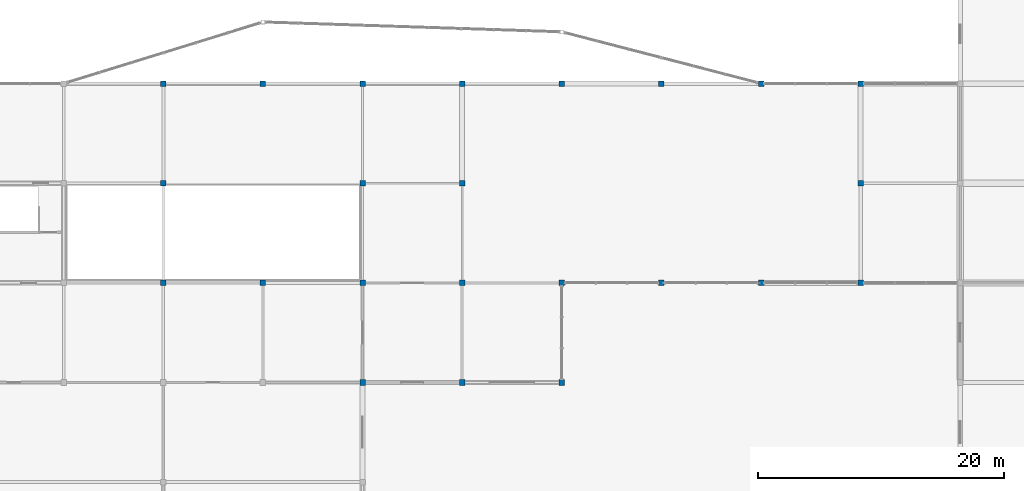
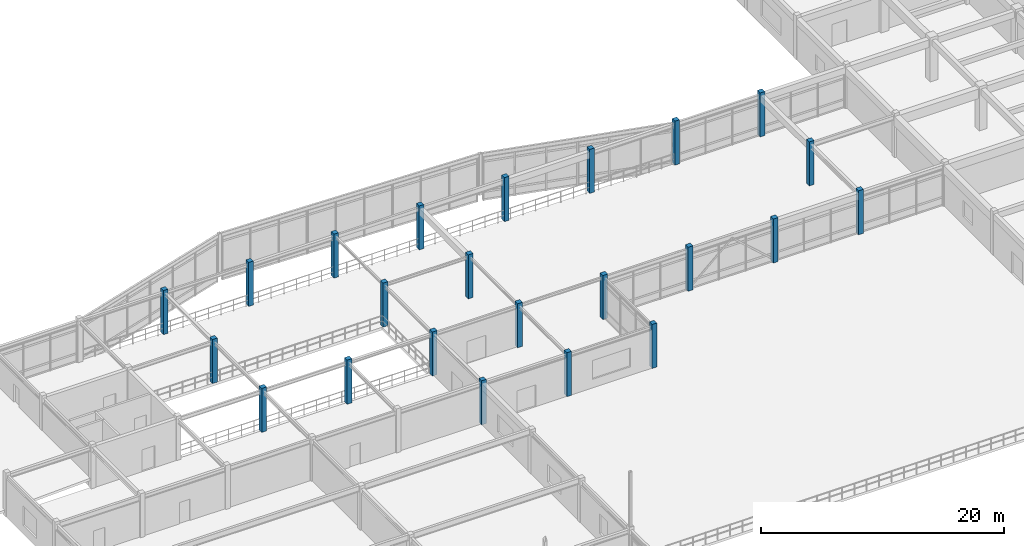
# One storey, part 5 of 89: 23 columns.
"""IFC4 building model written with IfcOpenShell, lengths in metres."""

from ifc_helpers import new_model, si_unit, direction, frame, origin, origin_2d, place, context, subcontext, project, spatial, rectangle, extrude, material, material_profile, profile_set, type_object, element, save


model = new_model("IFC4")

# Units and contexts
model_context = context("Model", 3, precision=1e-05, world=origin(), true_north=direction((0.0, 1.0)))
body_context = subcontext(model_context, "Body", "Model", "MODEL_VIEW")
ifc_project = project(units=[si_unit("LENGTHUNIT", "METRE"), si_unit("AREAUNIT", "SQUARE_METRE"), si_unit("VOLUMEUNIT", "CUBIC_METRE"), si_unit("PLANEANGLEUNIT", "RADIAN"), si_unit("MASSUNIT", "GRAM", prefix="KILO")], contexts=[model_context])

# Site, building, storey
site_placement = place(None, origin())
site = spatial("IfcSite", under=ifc_project, at=site_placement, CompositionType="ELEMENT")
building_placement = place(site_placement, origin())
building = spatial("IfcBuilding", under=site, at=building_placement, Name="Vaudrelin Polytechnic", CompositionType="ELEMENT")
storey_placement = place(building_placement, frame((0.0, 0.0, 9.68994140625)))
storey = spatial("IfcBuildingStorey", under=building, at=storey_placement, Name="L02", CompositionType="ELEMENT", Elevation=9.68994140625)

# Columns
ifc_material = material(Name="Concrete 40 MPa", Category="concrete")
ifc_material_profile = material_profile(ifc_material, rectangle(XDim=0.449951171875, YDim=0.449951171875, at=origin_2d()), Name="RC450x450")
ifc_profile_set = profile_set([ifc_material_profile], Name="Concrete 40 MPa")
column_type = type_object("IfcColumnType", Name="COL-C-RC450", PredefinedType="COLUMN", material=ifc_profile_set)
for number, where, z_axis, x_axis, name in (
    (1, (64.800048828125, 32.39990234375, 0.0), (0.0, 0.0, 1.0), (1.0, 0.0, 0.0), "Column L02 9-5"),
    (2, (64.800048828125, 40.5, 0.0), (0.0, 0.0, 1.0), (1.0, 0.0, 0.0), "Column L02 9-6"),
    (3, (64.800048828125, 48.60009765625, 0.0), (0.0, 0.0, 1.0), (1.0, 0.0, 0.0), "Column L02 9-7"),
    (4, (72.89990234375, 32.39990234375, 0.0), (0.0, 0.0, 1.0), (1.0, 0.0, 0.0), "Column L02 10-5"),
    (5, (72.89990234375, 48.60009765625, 0.0), (0.0, 0.0, 1.0), (1.0, 0.0, 0.0), "Column L02 10-7"),
    (6, (81.0, 24.300048828125, 0.0), (0.0, 0.0, 1.0), (1.0, 0.0, 0.0), "Column L02 11-4"),
    (7, (81.0, 32.39990234375, 0.0), (0.0, 0.0, 1.0), (1.0, 0.0, 0.0), "Column L02 11-5"),
    (8, (81.0, 40.5, 0.0), (0.0, 0.0, 1.0), (1.0, 0.0, 0.0), "Column L02 11-6"),
    (9, (81.0, 48.60009765625, 0.0), (0.0, 0.0, 1.0), (1.0, 0.0, 0.0), "Column L02 11-7"),
    (10, (89.10009765625, 24.300048828125, 0.0), (0.0, 0.0, 1.0), (1.0, 0.0, 0.0), "Column L02 12-4"),
    (11, (89.10009765625, 32.39990234375, 0.0), (0.0, 0.0, 1.0), (1.0, 0.0, 0.0), "Column L02 12-5"),
    (12, (89.10009765625, 40.5, 0.0), (0.0, 0.0, 1.0), (1.0, 0.0, 0.0), "Column L02 12-6"),
    (13, (89.10009765625, 48.60009765625, 0.0), (0.0, 0.0, 1.0), (1.0, 0.0, 0.0), "Column L02 12-7"),
    (14, (97.199951171875, 24.300048828125, 0.0), (0.0, 0.0, 1.0), (1.0, 0.0, 0.0), "Column L02 13-4"),
    (15, (97.199951171875, 32.39990234375, 0.0), (0.0, 0.0, 1.0), (1.0, 0.0, 0.0), "Column L02 13-5"),
    (16, (97.199951171875, 48.60009765625, 0.0), (0.0, 0.0, 1.0), (1.0, 0.0, 0.0), "Column L02 13-7"),
    (17, (105.300048828125, 32.39990234375, 0.0), (0.0, 0.0, 1.0), (1.0, 0.0, 0.0), "Column L02 14-5"),
    (18, (105.300048828125, 48.60009765625, 0.0), (0.0, 0.0, 1.0), (1.0, 0.0, 0.0), "Column L02 14-7"),
    (19, (113.39990234375, 32.39990234375, 0.0), (0.0, 0.0, 1.0), (1.0, 0.0, 0.0), "Column L02 15-5"),
    (20, (113.39990234375, 48.60009765625, 0.0), (0.0, 0.0, 1.0), (1.0, 0.0, 0.0), "Column L02 15-7"),
    (21, (121.5, 32.39990234375, 0.0), (0.0, 0.0, 1.0), (1.0, 0.0, 0.0), "Column L02 16-5"),
    (22, (121.5, 40.5, 0.0), (0.0, 0.0, 1.0), (1.0, 0.0, 0.0), "Column L02 16-6"),
    (23, (121.5, 48.60009765625, 0.0), (0.0, 0.0, 1.0), (1.0, 0.0, 0.0), "Column L02 16-7"),
):
    element("IfcColumn", number, at=place(storey_placement, frame(where, z_axis=z_axis, x_axis=x_axis)), inside=storey, type_object=column_type, Name=name, PredefinedType="COLUMN", context=body_context, shape_type="SweptSolid", body=[
        extrude(rectangle(XDim=0.449951171875, YDim=0.449951171875, at=origin_2d()), origin(), (0.0, 0.0, 1.0), 4.420166015625),
    ])

save(model, "model.ifc")
